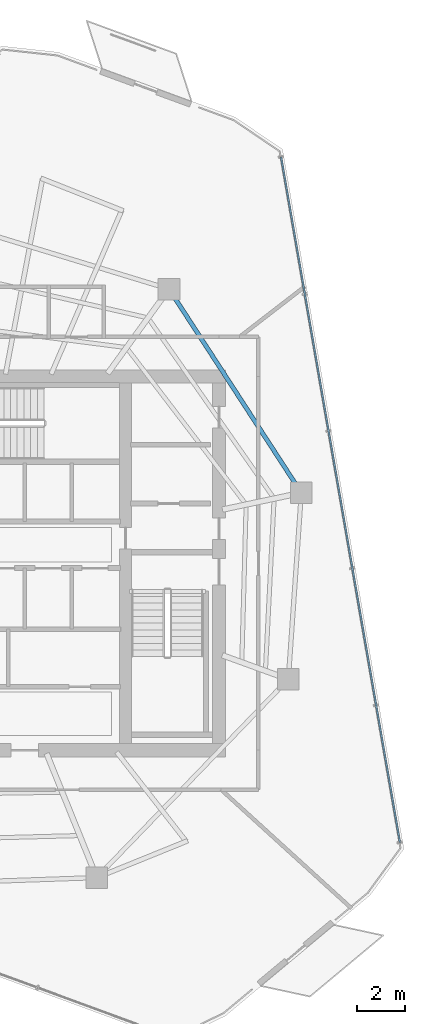
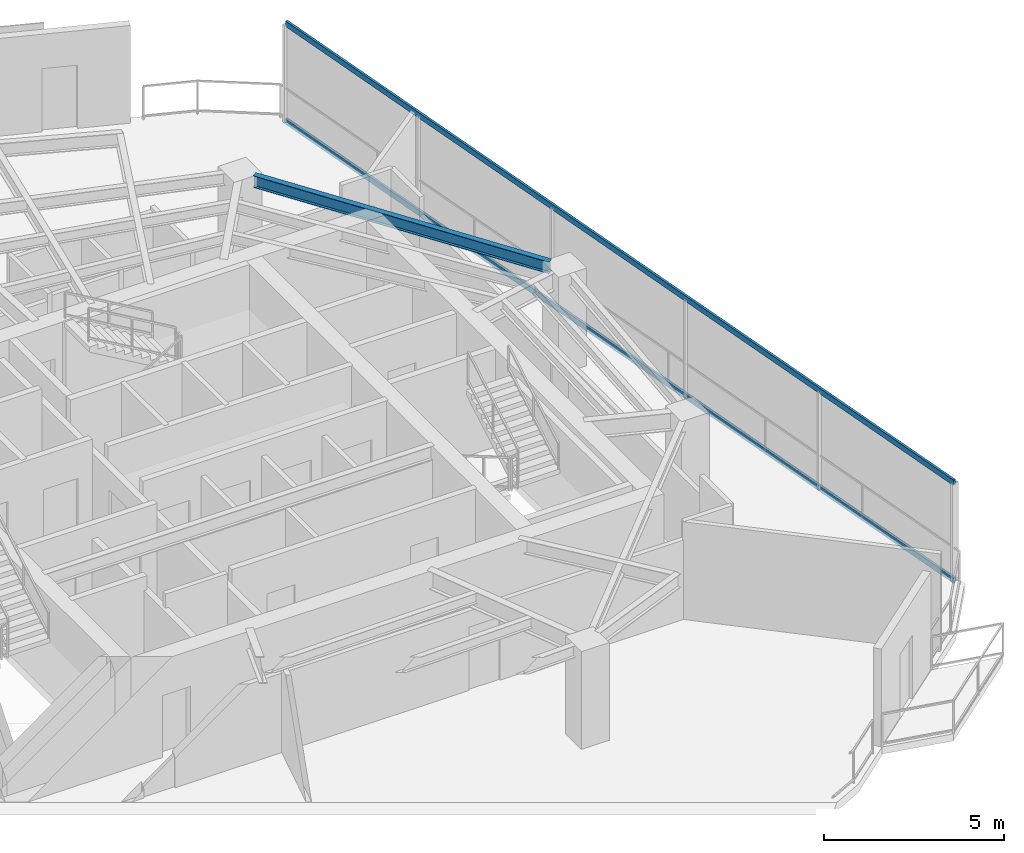
# One storey, part 10 of 18: 2 members, 1 beam, 1 element without a shape of its own.
"""IFC4 building model written with IfcOpenShell, lengths in metres."""

from ifc_helpers import new_model, si_unit, direction, frame, origin, origin_2d, place, context, subcontext, project, spatial, hollow_rectangle, i_section, extrude, material, layer, layer_set, material_profile, profile_set, type_object, element, aggregate, save


model = new_model("IFC4")

# Units and contexts
model_context = context("Model", 3, precision=1e-05, world=origin(), true_north=direction((0.0, 1.0)))
body_context = subcontext(model_context, "Body", "Model", "MODEL_VIEW")
ifc_project = project(units=[si_unit("LENGTHUNIT", "METRE"), si_unit("AREAUNIT", "SQUARE_METRE"), si_unit("VOLUMEUNIT", "CUBIC_METRE"), si_unit("PLANEANGLEUNIT", "RADIAN"), si_unit("MASSUNIT", "GRAM", prefix="KILO")], contexts=[model_context])

# Site, building, storey
site_placement = place(None, origin())
site = spatial("IfcSite", under=ifc_project, at=site_placement, CompositionType="ELEMENT")
building_placement = place(site_placement, origin())
building = spatial("IfcBuilding", under=site, at=building_placement, Name="Qarnah Convention Tower", CompositionType="ELEMENT")
storey_placement = place(building_placement, frame((0.0, 0.0, 216.60009765625)))
storey = spatial("IfcBuildingStorey", under=building, at=storey_placement, Name="L58", CompositionType="ELEMENT", Elevation=216.60009765625)

# Beam
ifc_material_1 = material(Name="Structural steel S355JR", Category="steel")
ifc_material_profile_1 = material_profile(ifc_material_1, i_section(OverallWidth=0.179931640625, OverallDepth=0.39990234375, WebThickness=0.009033203125, FlangeThickness=0.013916015625, at=origin_2d()), Name="IPE400")
ifc_profile_set_1 = profile_set([ifc_material_profile_1], Name="Structural steel S355JR")
beam_type = type_object("IfcBeamType", Name="BM-SPN-IPE400", PredefinedType="SPANDREL", material=ifc_profile_set_1)
beam_placement = place(storey_placement, frame((50.801025390625, 29.7109375, 3.119873046875), z_axis=(-0.544586178954, 0.838704890705, 0.0), x_axis=(-0.838704890705, -0.544586178954, 0.0)))
element("IfcBeam", 1, at=beam_placement, inside=storey, type_object=beam_type, Name="L58 spandrel BM-L58-SPN-01", PredefinedType="SPANDREL", context=body_context, shape_type="SweptSolid", body=[
    extrude(i_section(OverallWidth=0.179931640625, OverallDepth=0.39990234375, WebThickness=0.009033203125, FlangeThickness=0.013916015625, at=origin_2d()), origin(), (0.0, 0.0, 1.0), 9.261962890625),
])

# Curtain wall, members
ifc_material_2 = material(Name="Tempered Low-E dark glass", Category="glass")
ifc_layer = layer(ifc_material_2, 0.174072265625)
ifc_layer_set = layer_set([ifc_layer], Name="Tempered Low-E dark glass")
curtain_wall_type = type_object("IfcCurtainWallType", Name="CWS-04", PredefinedType="NOTDEFINED", material=ifc_layer_set)
curtain_wall_placement = place(storey_placement, origin())
curtain_wall = element("IfcCurtainWall", 2, at=curtain_wall_placement, inside=storey, type_object=curtain_wall_type, Name="L58 unitised curtain wall CW-L58-F3", PredefinedType="NOTDEFINED")
ifc_material_3 = material(Name="Black anodised aluminium", Category="aluminium")
ifc_material_profile_2 = material_profile(ifc_material_3, hollow_rectangle(XDim=0.074951171875, YDim=0.18994140625, WallThickness=0.0048828125, at=origin_2d()), Name="TRN-75X190")
ifc_profile_set_2 = profile_set([ifc_material_profile_2], Name="Black anodised aluminium")
member_type = type_object("IfcMemberType", Name="TRN-T4", PredefinedType="USERDEFINED", material=ifc_profile_set_2)
member_1_placement = place(storey_placement, frame((50.194091796875, 43.363037109375, 0.0), z_axis=(0.170881300265, -0.985291622424, 0.0), x_axis=(0.985291622424, 0.170881300265, 0.0)))
member_1 = element("IfcMember", 3, at=member_1_placement, type_object=member_type, Name="CW-L58-F3 transom 1", ObjectType="TRANSOM", PredefinedType="USERDEFINED", context=body_context, shape_type="SweptSolid", body=[
    extrude(hollow_rectangle(XDim=0.074951171875, YDim=0.18994140625, WallThickness=0.0048828125, at=origin_2d()), origin(), (0.0, 0.0, 1.0), 29.037109375),
])
member_2_placement = place(storey_placement, frame((50.194091796875, 43.363037109375, 3.31982421875), z_axis=(0.170881300265, -0.985291622424, 0.0), x_axis=(0.985291622424, 0.170881300265, 0.0)))
member_2 = element("IfcMember", 4, at=member_2_placement, type_object=member_type, Name="CW-L58-F3 transom 2", ObjectType="TRANSOM", PredefinedType="USERDEFINED", context=body_context, shape_type="SweptSolid", body=[
    extrude(hollow_rectangle(XDim=0.074951171875, YDim=0.18994140625, WallThickness=0.0048828125, at=origin_2d()), origin(), (0.0, 0.0, 1.0), 29.037109375),
])
aggregate(curtain_wall, [member_1, member_2])

save(model, "model.ifc")
